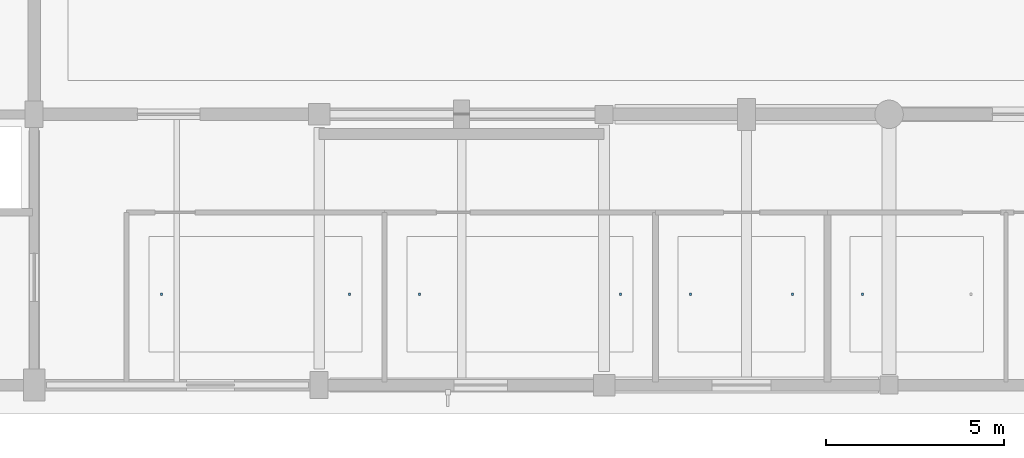
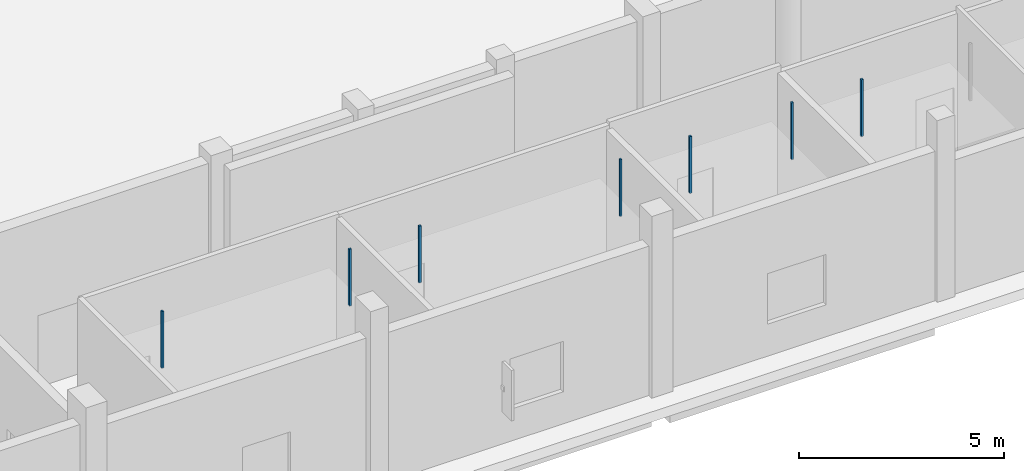
# One storey, part 74 of 126: 7 discrete accessories.
"""IFC4 building model written with IfcOpenShell, lengths in metres."""

from ifc_helpers import new_model, si_unit, direction, frame, origin, origin_2d, place, context, subcontext, project, spatial, rectangle, extrude, material, type_object, element, save


model = new_model("IFC4")

# Units and contexts
model_context = context("Model", 3, precision=1e-05, world=origin(), true_north=direction((0.0, 1.0)))
body_context = subcontext(model_context, "Body", "Model", "MODEL_VIEW")
ifc_project = project(units=[si_unit("LENGTHUNIT", "METRE"), si_unit("AREAUNIT", "SQUARE_METRE"), si_unit("VOLUMEUNIT", "CUBIC_METRE"), si_unit("PLANEANGLEUNIT", "RADIAN"), si_unit("MASSUNIT", "GRAM", prefix="KILO")], contexts=[model_context])

# Site, building, storey
site_placement = place(None, origin())
site = spatial("IfcSite", under=ifc_project, at=site_placement, CompositionType="ELEMENT")
building_placement = place(site_placement, origin())
building = spatial("IfcBuilding", under=site, at=building_placement, Name="Khelvaren Railside Concert Hall", CompositionType="ELEMENT")
storey_placement = place(building_placement, origin())
storey = spatial("IfcBuildingStorey", under=building, at=storey_placement, Name="L00", CompositionType="ELEMENT", Elevation=0.0)

# Discrete accessories
ifc_material = material(Name="Galvanised steel acoustic ceiling hanger rod", Category="steel")
discrete_accessory_type = type_object("IfcDiscreteAccessoryType", Name="BRK62", PredefinedType="BRACKET", material=ifc_material)
for number, where, z_axis, x_axis, name in (
    (1, (11.580078125, 2.550048828125, 3.429931640625), (0.0, 0.0, 1.0), (1.0, 0.0, 0.0), "Acoustic Ceiling Suspension Bracket 3-1"),
    (2, (16.85693359375, 2.550048828125, 3.429931640625), (0.0, 0.0, 1.0), (1.0, 0.0, 0.0), "Acoustic Ceiling Suspension Bracket 3-2"),
    (3, (18.81689453125, 2.550048828125, 3.429931640625), (0.0, 0.0, 1.0), (1.0, 0.0, 0.0), "Acoustic Ceiling Suspension Bracket 4-1"),
    (4, (24.465087890625, 2.550048828125, 3.429931640625), (0.0, 0.0, 1.0), (1.0, 0.0, 0.0), "Acoustic Ceiling Suspension Bracket 4-2"),
    (5, (26.425048828125, 2.550048828125, 3.429931640625), (0.0, 0.0, 1.0), (1.0, 0.0, 0.0), "Acoustic Ceiling Suspension Bracket 5-1"),
    (6, (29.2900390625, 2.550048828125, 3.429931640625), (0.0, 0.0, 1.0), (1.0, 0.0, 0.0), "Acoustic Ceiling Suspension Bracket 5-2"),
    (7, (31.25, 2.550048828125, 3.429931640625), (0.0, 0.0, 1.0), (1.0, 0.0, 0.0), "Acoustic Ceiling Suspension Bracket 6-1"),
):
    element("IfcDiscreteAccessory", number, at=place(storey_placement, frame(where, z_axis=z_axis, x_axis=x_axis)), inside=storey, type_object=discrete_accessory_type, Name=name, PredefinedType="BRACKET", context=body_context, shape_type="SweptSolid", body=[
        extrude(rectangle(XDim=0.06005859375, YDim=0.06005859375, at=origin_2d()), origin(), (0.0, 0.0, 1.0), 1.68994140625),
    ])

save(model, "model.ifc")
